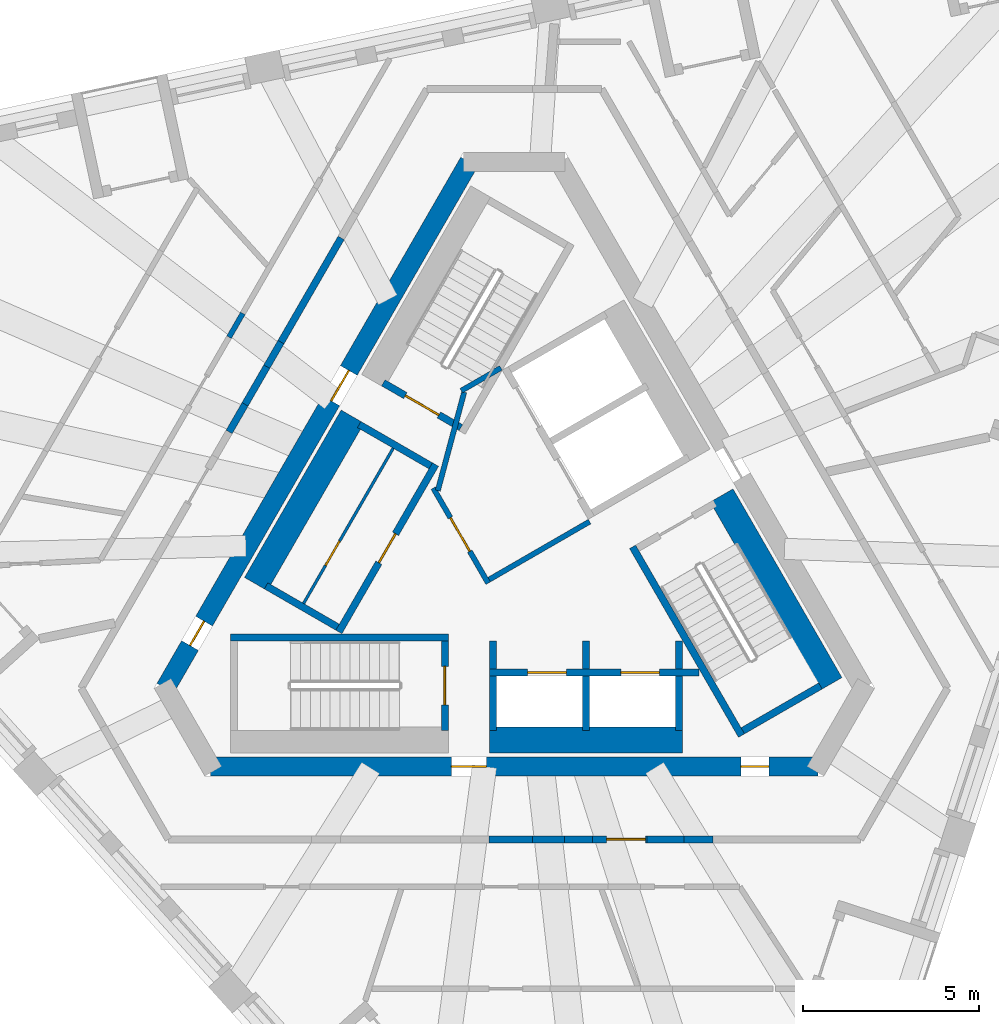
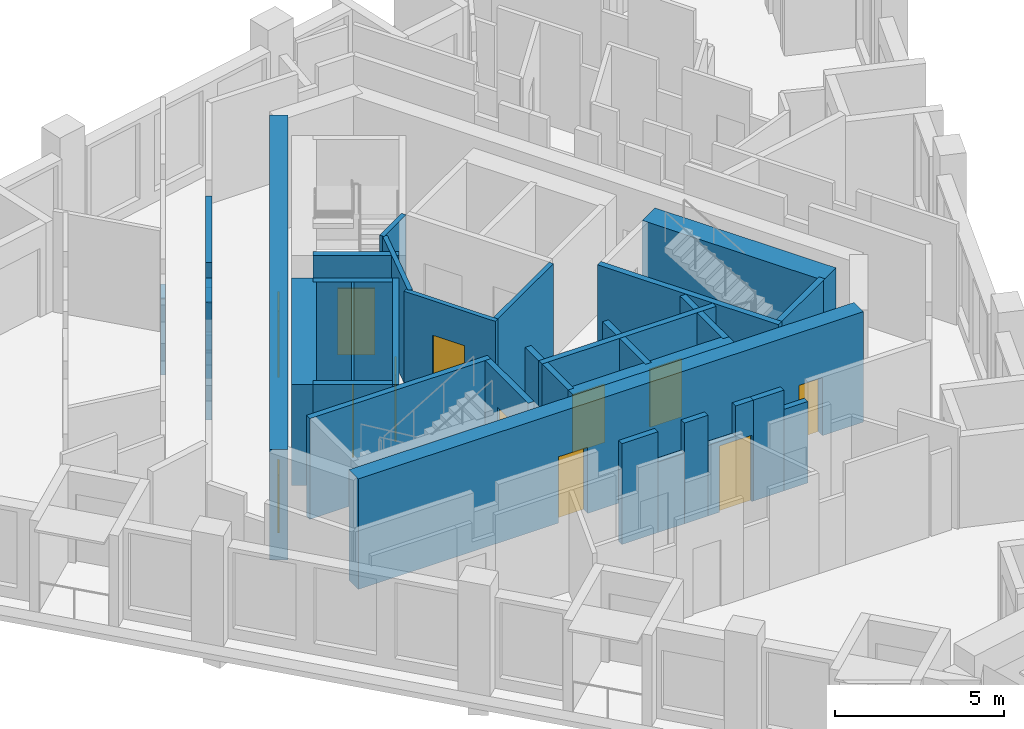
# One storey, part 4 of 12: 36 walls, 12 doors, 12 openings.
"""IFC4 building model written with IfcOpenShell, lengths in metres."""

from ifc_helpers import new_model, si_unit, direction, frame, frame_2d, origin, place, context, subcontext, project, spatial, polyline, rectangle, outline, extrude, material, layer, layer_set, type_object, element, fill, save


model = new_model("IFC4")

# Units and contexts
model_context = context("Model", 3, precision=1e-05, world=origin(), true_north=direction((0.0, 1.0)))
body_context = subcontext(model_context, "Body", "Model", "MODEL_VIEW")
ifc_project = project(units=[si_unit("LENGTHUNIT", "METRE"), si_unit("AREAUNIT", "SQUARE_METRE"), si_unit("VOLUMEUNIT", "CUBIC_METRE"), si_unit("PLANEANGLEUNIT", "RADIAN"), si_unit("MASSUNIT", "GRAM", prefix="KILO")], contexts=[model_context])

# Site, building, storey
site_placement = place(None, origin())
site = spatial("IfcSite", under=ifc_project, at=site_placement, CompositionType="ELEMENT")
building_placement = place(site_placement, origin())
building = spatial("IfcBuilding", under=site, at=building_placement, Name="Tramontana Tower", CompositionType="ELEMENT")
storey_placement = place(building_placement, frame((0.0, 0.0, 344.39990234375)))
storey = spatial("IfcBuildingStorey", under=building, at=storey_placement, Name="L79", CompositionType="ELEMENT", Elevation=344.39990234375)

# Wall, openings, doors
ifc_material_1 = material(Name="Concrete 70 MPa", Category="concrete")
ifc_layer_1 = layer(ifc_material_1, 0.550048828125)
ifc_layer_set_1 = layer_set([ifc_layer_1], Name="Core wall 550 70 MPa")
wall_type_1 = type_object("IfcWallType", Name="Core wall 550 70 MPa", PredefinedType="SHEAR", material=ifc_layer_set_1)
wall_1_placement = place(storey_placement, frame((-1.28466796875, 10.72509765625, 0.0), z_axis=(0.0, 0.0, 1.0), x_axis=(-0.499994590896, -0.86602852671, 0.0)))
wall_1 = element("IfcWall", 1, at=wall_1_placement, inside=storey, type_object=wall_type_1, Name="Core wall C1 L79", PredefinedType="SHEAR", context=body_context, shape_type="SweptSolid", body=[
    extrude(rectangle(XDim=17.291748046875, YDim=0.550048828125, at=frame_2d((8.64599609375, 0.0))), origin(), (0.0, 0.0, 1.0), 4.0),
])
opening_1_placement = place(wall_1_placement, frame((6.850830078125, 0.0, 0.0)))
opening_1 = element("IfcOpeningElement", 2, at=opening_1_placement, cuts=wall_1, Name="Opening RG1", PredefinedType="OPENING", context=body_context, shape_type="SweptSolid", body=[
    extrude(rectangle(XDim=1.0, YDim=2.39990234375, at=frame_2d((0.5, 1.199951171875))), frame((0.0, 0.284912109375, 0.0), z_axis=(0.0, -1.0, 0.0), x_axis=(1.0, 0.0, 0.0)), (0.0, 0.0, 1.0), 0.570068359375),
])
opening_2_placement = place(wall_1_placement, frame((15.0888671875, 0.0, 0.0)))
opening_2 = element("IfcOpeningElement", 3, at=opening_2_placement, cuts=wall_1, Name="Opening PD1", PredefinedType="OPENING", context=body_context, shape_type="SweptSolid", body=[
    extrude(rectangle(XDim=0.800048828125, YDim=2.10009765625, at=frame_2d((0.39990234375, 1.050048828125))), frame((0.0, 0.284912109375, 0.0), z_axis=(0.0, -1.0, 0.0), x_axis=(1.0, 0.0, 0.0)), (0.0, 0.0, 1.0), 0.570068359375),
])
ifc_material_2 = material(Name="Painted steel", Category="steel")
door_type_1 = type_object("IfcDoorType", Name="CUPBOARD DOOR 800", OperationType="SINGLE_SWING_LEFT", PredefinedType="DOOR", material=ifc_material_2)
door_1_placement = place(opening_2_placement, origin())
door_1 = element("IfcDoor", 4, at=door_1_placement, inside=storey, type_object=door_type_1, Name="Door PD1", OperationType="SINGLE_SWING_LEFT", OverallHeight=2.10009765625, OverallWidth=0.800048828125, PredefinedType="DOOR", context=body_context, shape_type="SweptSolid", body=[
    extrude(rectangle(XDim=0.800048828125, YDim=2.10009765625, at=frame_2d((0.39990234375, 1.050048828125))), frame((0.0, 0.02490234375, 0.0), z_axis=(0.0, -1.0, 0.0), x_axis=(1.0, 0.0, 0.0)), (0.0, 0.0, 1.0), 0.050048828125),
])
fill(opening_2, door_1)
ifc_material_3 = material(Name="Painted steel", Category="steel")
door_type_2 = type_object("IfcDoorType", Name="RING DOOR 1000", OperationType="SINGLE_SWING_LEFT", PredefinedType="DOOR", material=ifc_material_3)
door_2_placement = place(opening_1_placement, origin())
door_2 = element("IfcDoor", 5, at=door_2_placement, inside=storey, type_object=door_type_2, Name="Door RG1", OperationType="SINGLE_SWING_RIGHT", OverallHeight=2.39990234375, OverallWidth=1.0, PredefinedType="DOOR", context=body_context, shape_type="SweptSolid", body=[
    extrude(rectangle(XDim=1.0, YDim=2.39990234375, at=frame_2d((0.5, 1.199951171875))), frame((0.0, 0.02490234375, 0.0), z_axis=(0.0, -1.0, 0.0), x_axis=(1.0, 0.0, 0.0)), (0.0, 0.0, 1.0), 0.050048828125),
])
fill(opening_1, door_2)

wall_2_placement = place(storey_placement, frame((-8.645751953125, -6.47509765625, 0.0), z_axis=(0.0, 0.0, 1.0), x_axis=(1.0, 0.0, 0.0)))
wall_2 = element("IfcWall", 6, at=wall_2_placement, inside=storey, type_object=wall_type_1, Name="Core wall C3 L79", PredefinedType="SHEAR", context=body_context, shape_type="SweptSolid", body=[
    extrude(rectangle(XDim=17.29150390625, YDim=0.550048828125, at=frame_2d((8.645751953125, 0.0))), origin(), (0.0, 0.0, 1.0), 4.0),
])
opening_3_placement = place(wall_2_placement, frame((6.850830078125, 0.0, 0.0)))
opening_3 = element("IfcOpeningElement", 7, at=opening_3_placement, cuts=wall_2, Name="Opening RG2", PredefinedType="OPENING", context=body_context, shape_type="SweptSolid", body=[
    extrude(rectangle(XDim=1.0, YDim=2.39990234375, at=frame_2d((0.5, 1.199951171875))), frame((0.0, 0.284912109375, 0.0), z_axis=(0.0, -1.0, 0.0), x_axis=(1.0, 0.0, 0.0)), (0.0, 0.0, 1.0), 0.570068359375),
])
opening_4_placement = place(wall_2_placement, frame((15.088623046875, 0.0, 0.0)))
opening_4 = element("IfcOpeningElement", 8, at=opening_4_placement, cuts=wall_2, Name="Opening PD2", PredefinedType="OPENING", context=body_context, shape_type="SweptSolid", body=[
    extrude(rectangle(XDim=0.800048828125, YDim=2.10009765625, at=frame_2d((0.39990234375, 1.050048828125))), frame((0.0, 0.284912109375, 0.0), z_axis=(0.0, -1.0, 0.0), x_axis=(1.0, 0.0, 0.0)), (0.0, 0.0, 1.0), 0.570068359375),
])
door_3_placement = place(opening_4_placement, origin())
door_3 = element("IfcDoor", 9, at=door_3_placement, inside=storey, type_object=door_type_1, Name="Door PD2", OperationType="SINGLE_SWING_RIGHT", OverallHeight=2.10009765625, OverallWidth=0.800048828125, PredefinedType="DOOR", context=body_context, shape_type="SweptSolid", body=[
    extrude(rectangle(XDim=0.800048828125, YDim=2.10009765625, at=frame_2d((0.39990234375, 1.050048828125))), frame((0.0, 0.02490234375, 0.0), z_axis=(0.0, -1.0, 0.0), x_axis=(1.0, 0.0, 0.0)), (0.0, 0.0, 1.0), 0.050048828125),
])
fill(opening_4, door_3)
door_4_placement = place(opening_3_placement, origin())
door_4 = element("IfcDoor", 10, at=door_4_placement, inside=storey, type_object=door_type_2, Name="Door RG2", OperationType="SINGLE_SWING_LEFT", OverallHeight=2.39990234375, OverallWidth=1.0, PredefinedType="DOOR", context=body_context, shape_type="SweptSolid", body=[
    extrude(rectangle(XDim=1.0, YDim=2.39990234375, at=frame_2d((0.5, 1.199951171875))), frame((0.0, 0.02490234375, 0.0), z_axis=(0.0, -1.0, 0.0), x_axis=(1.0, 0.0, 0.0)), (0.0, 0.0, 1.0), 0.050048828125),
])
fill(opening_3, door_4)

# Walls
ifc_material_4 = material(Name="Blockwork", Category="masonry")
ifc_layer_2 = layer(ifc_material_4, 0.199951171875)
ifc_layer_set_2 = layer_set([ifc_layer_2], Name="ENTRY WALL 200")
wall_type_2 = type_object("IfcWallType", Name="ENTRY WALL 200", PredefinedType="SOLIDWALL", material=ifc_layer_set_2)
wall_3_placement = place(storey_placement, frame((5.6494140625, -8.550048828125, 0.0), z_axis=(0.0, 0.0, 1.0), x_axis=(-1.0, 0.0, 0.0)))
element("IfcWall", 11, at=wall_3_placement, inside=storey, type_object=wall_type_2, Name="Wall v82-ew1-1", PredefinedType="SOLIDWALL", context=body_context, shape_type="SweptSolid", body=[
    extrude(rectangle(XDim=0.821044921875, YDim=0.199951171875, at=frame_2d((0.41064453125, 0.0))), origin(), (0.0, 0.0, 1.0), 2.9501953125),
])
wall_4_placement = place(storey_placement, frame((4.828369140625, -8.550048828125, 0.0), z_axis=(0.0, 0.0, 1.0), x_axis=(-1.0, 0.0, 0.0)))
element("IfcWall", 12, at=wall_4_placement, inside=storey, type_object=wall_type_2, Name="Wall v82-ew1-2", PredefinedType="SOLIDWALL", context=body_context, shape_type="SweptSolid", body=[
    extrude(rectangle(XDim=1.050048828125, YDim=0.199951171875, at=frame_2d((0.52490234375, 0.0))), origin(), (0.0, 0.0, 1.0), 3.650146484375),
])

# Wall, opening, door
wall_5_placement = place(storey_placement, frame((2.22900390625, -8.550048828125, 0.0), z_axis=(0.0, 0.0, 1.0), x_axis=(1.0, 0.0, 0.0)))
wall_5 = element("IfcWall", 13, at=wall_5_placement, inside=storey, type_object=wall_type_2, Name="Wall v82-ew1-3", PredefinedType="SOLIDWALL", context=body_context, shape_type="SweptSolid", body=[
    extrude(outline(polyline([(0.0, 0.0), (1.54931640625, 0.0), (1.549072265625, 3.650146484375), (0.94384765625, 3.650146484375), (0.94384765625, 2.550048828125), (0.0, 2.550048828125), (0.0, 0.0)])), frame((0.0, 0.10009765625, 0.0), z_axis=(0.0, -1.0, 0.0), x_axis=(1.0, 0.0, 0.0)), (0.0, 0.0, 1.0), 0.199951171875),
])
opening_5_placement = place(wall_5_placement, frame((0.399169921875, 0.0, 0.0)))
opening_5 = element("IfcOpeningElement", 14, at=opening_5_placement, cuts=wall_5, Name="Opening B8C-16", PredefinedType="OPENING", context=body_context, shape_type="SweptSolid", body=[
    extrude(rectangle(XDim=1.10009765625, YDim=2.39990234375, at=frame_2d((0.550048828125, 1.199951171875))), frame((0.0, 0.10986328125, 0.0), z_axis=(0.0, -1.0, 0.0), x_axis=(1.0, 0.0, 0.0)), (0.0, 0.0, 1.0), 0.219970703125),
])
ifc_material_5 = material(Name="Painted timber", Category="wood")
door_type_3 = type_object("IfcDoorType", Name="DOOR ENTRY 1100", OperationType="SINGLE_SWING_LEFT", PredefinedType="DOOR", material=ifc_material_5)
door_5_placement = place(opening_5_placement, origin())
door_5 = element("IfcDoor", 15, at=door_5_placement, inside=storey, type_object=door_type_3, Name="Door B8C-16", OperationType="SINGLE_SWING_RIGHT", OverallHeight=2.39990234375, OverallWidth=1.10009765625, PredefinedType="DOOR", context=body_context, shape_type="SweptSolid", body=[
    extrude(rectangle(XDim=1.10009765625, YDim=2.39990234375, at=frame_2d((0.550048828125, 1.199951171875))), frame((0.0, 0.02490234375, 0.0), z_axis=(0.0, -1.0, 0.0), x_axis=(1.0, 0.0, 0.0)), (0.0, 0.0, 1.0), 0.050048828125),
])
fill(opening_5, door_5)

# Walls
wall_6_placement = place(storey_placement, frame((2.22900390625, -8.550048828125, 0.0), z_axis=(0.0, 0.0, 1.0), x_axis=(-1.0, 0.0, 0.0)))
element("IfcWall", 16, at=wall_6_placement, inside=storey, type_object=wall_type_2, Name="Wall v82-ew1-4", PredefinedType="SOLIDWALL", context=body_context, shape_type="SweptSolid", body=[
    extrude(rectangle(XDim=0.806640625, YDim=0.199951171875, at=frame_2d((0.4033203125, 0.0))), origin(), (0.0, 0.0, 1.0), 3.650146484375),
])
wall_7_placement = place(storey_placement, frame((1.42236328125, -8.550048828125, 0.0), z_axis=(0.0, 0.0, 1.0), x_axis=(-1.0, 0.0, 0.0)))
element("IfcWall", 17, at=wall_7_placement, inside=storey, type_object=wall_type_2, Name="Wall v82-ew1-5", PredefinedType="SOLIDWALL", context=body_context, shape_type="SweptSolid", body=[
    extrude(rectangle(XDim=0.90576171875, YDim=0.199951171875, at=frame_2d((0.452880859375, 0.0))), origin(), (0.0, 0.0, 1.0), 2.550048828125),
])
wall_8_placement = place(storey_placement, frame((0.5166015625, -8.550048828125, 0.0), z_axis=(0.0, 0.0, 1.0), x_axis=(-1.0, 0.0, 0.0)))
element("IfcWall", 18, at=wall_8_placement, inside=storey, type_object=wall_type_2, Name="Wall v82-ew1-6", PredefinedType="SOLIDWALL", context=body_context, shape_type="SweptSolid", body=[
    extrude(rectangle(XDim=1.23828125, YDim=0.199951171875, at=frame_2d((0.619140625, 0.0))), origin(), (0.0, 0.0, 1.0), 3.650146484375),
])
wall_9_placement = place(storey_placement, frame((-8.11572265625, 3.043212890625, 0.0), z_axis=(0.0, 0.0, 1.0), x_axis=(0.499994660107, 0.866028486751, 0.0)))
element("IfcWall", 19, at=wall_9_placement, inside=storey, type_object=wall_type_2, Name="Wall v82-ew3-5", PredefinedType="SOLIDWALL", context=body_context, shape_type="SweptSolid", body=[
    extrude(rectangle(XDim=0.90576171875, YDim=0.199951171875, at=frame_2d((0.452880859375, 0.0))), origin(), (0.0, 0.0, 1.0), 2.550048828125),
])
wall_10_placement = place(storey_placement, frame((-7.662841796875, 3.82763671875, 0.0), z_axis=(0.0, 0.0, 1.0), x_axis=(0.499955681623, 0.866050989499, 0.0)))
element("IfcWall", 20, at=wall_10_placement, inside=storey, type_object=wall_type_2, Name="Wall v82-ew3-6", PredefinedType="SOLIDWALL", context=body_context, shape_type="SweptSolid", body=[
    extrude(rectangle(XDim=1.23828125, YDim=0.199951171875, at=frame_2d((0.619140625, 0.0))), origin(), (0.0, 0.0, 1.0), 3.650146484375),
])
wall_11_placement = place(storey_placement, frame((-7.043701171875, 4.900146484375, 0.0), z_axis=(0.0, 0.0, 1.0), x_axis=(0.500141487433, 0.865943700565, 0.0)))
element("IfcWall", 21, at=wall_11_placement, inside=storey, type_object=wall_type_2, Name="Wall v82-ew3-7", PredefinedType="SOLIDWALL", context=body_context, shape_type="SweptSolid", body=[
    extrude(rectangle(XDim=0.806884765625, YDim=0.199951171875, at=frame_2d((0.4033203125, 0.0))), origin(), (0.0, 0.0, 1.0), 2.75),
])
wall_12_placement = place(storey_placement, frame((-6.64013671875, 5.598876953125, 0.0), z_axis=(0.0, 0.0, 1.0), x_axis=(0.499989998285, 0.8660311782, 0.0)))
element("IfcWall", 22, at=wall_12_placement, inside=storey, type_object=wall_type_2, Name="Wall v82-ew3-8", PredefinedType="SOLIDWALL", context=body_context, shape_type="SweptSolid", body=[
    extrude(rectangle(XDim=3.4228515625, YDim=0.199951171875, at=frame_2d((1.71142578125, 0.0))), origin(), (0.0, 0.0, 1.0), 3.650146484375),
])

# Wall, opening, door
ifc_material_6 = material(Name="Gypsum board partition")
ifc_layer_3 = layer(ifc_material_6, 0.14990234375)
ifc_layer_set_3 = layer_set([ifc_layer_3], Name="PARTITION 150")
wall_type_3 = type_object("IfcWallType", Name="PARTITION 150", PredefinedType="PARTITIONING", material=ifc_layer_set_3)
wall_13_placement = place(storey_placement, frame((-0.744140625, -1.260986328125, 0.0), z_axis=(0.0, 0.0, 1.0), x_axis=(-0.500004234368, 0.866022959057, 0.0)))
wall_13 = element("IfcWall", 23, at=wall_13_placement, inside=storey, type_object=wall_type_3, Name="Wall ff-front", PredefinedType="PARTITIONING", context=body_context, shape_type="SweptSolid", body=[
    extrude(rectangle(XDim=3.125, YDim=0.14990234375, at=frame_2d((1.5625, 0.0))), origin(), (0.0, 0.0, 1.0), 3.650146484375),
])
opening_6_placement = place(wall_13_placement, frame((1.050048828125, 0.0, 0.0)))
opening_6 = element("IfcOpeningElement", 24, at=opening_6_placement, cuts=wall_13, Name="Opening FD1", PredefinedType="OPENING", context=body_context, shape_type="SweptSolid", body=[
    extrude(rectangle(XDim=1.10009765625, YDim=2.39990234375, at=frame_2d((0.550048828125, 1.199951171875))), frame((0.0, 0.0849609375, 0.0), z_axis=(0.0, -1.0, 0.0), x_axis=(1.0, 0.0, 0.0)), (0.0, 0.0, 1.0), 0.169921875),
])
door_6_placement = place(opening_6_placement, origin())
door_6 = element("IfcDoor", 25, at=door_6_placement, inside=storey, type_object=door_type_3, Name="Door FD1", OperationType="SINGLE_SWING_LEFT", OverallHeight=2.39990234375, OverallWidth=1.10009765625, PredefinedType="DOOR", context=body_context, shape_type="SweptSolid", body=[
    extrude(rectangle(XDim=1.10009765625, YDim=2.39990234375, at=frame_2d((0.550048828125, 1.199951171875))), frame((0.0, 0.02490234375, 0.0), z_axis=(0.0, -1.0, 0.0), x_axis=(1.0, 0.0, 0.0)), (0.0, 0.0, 1.0), 0.050048828125),
])
fill(opening_6, door_6)

# Walls
wall_14_placement = place(storey_placement, frame((-0.716796875, -1.15869140625, 0.0), z_axis=(0.0, 0.0, 1.0), x_axis=(0.866008176907, 0.50002983664, 0.0)))
element("IfcWall", 26, at=wall_14_placement, inside=storey, type_object=wall_type_3, Name="Wall ff-end0", PredefinedType="PARTITIONING", context=body_context, shape_type="SweptSolid", body=[
    extrude(rectangle(XDim=3.300048828125, YDim=0.14990234375, at=frame_2d((1.64990234375, 0.0))), origin(), (0.0, 0.0, 1.0), 3.650146484375),
])
wall_15_placement = place(storey_placement, frame((-2.177978515625, 1.372314453125, 0.0), z_axis=(0.0, 0.0, 1.0), x_axis=(0.258808958833, 0.96592852884, 0.0)))
element("IfcWall", 27, at=wall_15_placement, inside=storey, type_object=wall_type_3, Name="Wall ff-diag", PredefinedType="PARTITIONING", context=body_context, shape_type="SweptSolid", body=[
    extrude(rectangle(XDim=2.902587890625, YDim=0.14990234375, at=frame_2d((1.451171875, 0.0))), origin(), (0.0, 0.0, 1.0), 3.650146484375),
])
wall_16_placement = place(storey_placement, frame((-1.509765625, 4.21484375, 0.0), z_axis=(0.0, 0.0, 1.0), x_axis=(0.866085525409, 0.49989585183, 0.0)))
element("IfcWall", 28, at=wall_16_placement, inside=storey, type_object=wall_type_3, Name="Wall ff-end1", PredefinedType="PARTITIONING", context=body_context, shape_type="SweptSolid", body=[
    extrude(rectangle(XDim=1.300048828125, YDim=0.14990234375, at=frame_2d((0.64990234375, 0.0))), origin(), (0.0, 0.0, 1.0), 3.650146484375),
])
wall_17_placement = place(storey_placement, frame((-8.11767578125, 5.73974609375, 0.0), z_axis=(0.0, 0.0, 1.0), x_axis=(0.500001804394, 0.866024362014, 0.0)))
element("IfcWall", 29, at=wall_17_placement, inside=storey, type_object=wall_type_3, Name="Wall v82-pw03-6", PredefinedType="PARTITIONING", context=body_context, shape_type="SweptSolid", body=[
    extrude(rectangle(XDim=0.78173828125, YDim=0.14990234375, at=frame_2d((0.390869140625, 0.0))), origin(), (0.0, 0.0, 1.0), 2.75),
])

# Wall, opening, door
ifc_material_7 = material(Name="Gypsum board partition")
ifc_layer_4 = layer(ifc_material_7, 0.080078125)
ifc_layer_set_4 = layer_set([ifc_layer_4], Name="PARTITION 80")
wall_type_4 = type_object("IfcWallType", Name="PARTITION 80", PredefinedType="PARTITIONING", material=ifc_layer_set_4)
wall_18_placement = place(storey_placement, frame((-5.997314453125, -1.837646484375, 0.0), z_axis=(0.0, 0.0, 1.0), x_axis=(0.500005610874, 0.86602216432, 0.0)))
wall_18 = element("IfcWall", 30, at=wall_18_placement, inside=storey, type_object=wall_type_4, Name="Wall row0-split", PredefinedType="PARTITIONING", context=body_context, shape_type="SweptSolid", body=[
    extrude(rectangle(XDim=5.10009765625, YDim=0.080078125, at=frame_2d((2.550048828125, 0.0))), origin(), (0.0, 0.0, 1.0), 3.650146484375),
])
opening_7_placement = place(wall_18_placement, frame((1.25, 0.0, 0.0)))
opening_7 = element("IfcOpeningElement", 31, at=opening_7_placement, cuts=wall_18, Name="Opening RD-0B", PredefinedType="OPENING", context=body_context, shape_type="SweptSolid", body=[
    extrude(rectangle(XDim=0.800048828125, YDim=2.10009765625, at=frame_2d((0.39990234375, 1.050048828125))), frame((0.0, 0.050048828125, 0.0), z_axis=(0.0, -1.0, 0.0), x_axis=(1.0, 0.0, 0.0)), (0.0, 0.0, 1.0), 0.10009765625),
])
door_7_placement = place(opening_7_placement, origin())
door_7 = element("IfcDoor", 32, at=door_7_placement, inside=storey, type_object=door_type_1, Name="Door RD-0B", OperationType="SINGLE_SWING_RIGHT", OverallHeight=2.10009765625, OverallWidth=0.800048828125, PredefinedType="DOOR", context=body_context, shape_type="SweptSolid", body=[
    extrude(rectangle(XDim=0.800048828125, YDim=2.10009765625, at=frame_2d((0.39990234375, 1.050048828125))), frame((0.0, 0.02490234375, 0.0), z_axis=(0.0, -1.0, 0.0), x_axis=(1.0, 0.0, 0.0)), (0.0, 0.0, 1.0), 0.050048828125),
])
fill(opening_7, door_7)

# Walls
ifc_material_8 = material(Name="Concrete 70 MPa", Category="concrete")
ifc_layer_5 = layer(ifc_material_8, 0.75)
ifc_layer_set_5 = layer_set([ifc_layer_5], Name="Concrete 70 MPa, 750 mm")
wall_type_5 = type_object("IfcWallType", Name="RC SHAFT BACK WALL 750", PredefinedType="SOLIDWALL", material=ifc_layer_set_5)
wall_19_placement = place(storey_placement, frame((8.998046875, -4.135009765625, 0.0), z_axis=(0.0, 0.0, 1.0), x_axis=(-0.500009909098, 0.866019682689, 0.0)))
element("IfcWall", 33, at=wall_19_placement, inside=storey, type_object=wall_type_5, Name="Wall st3-back", PredefinedType="SOLIDWALL", context=body_context, shape_type="SweptSolid", body=[
    extrude(rectangle(XDim=6.199951171875, YDim=0.75, at=frame_2d((3.10009765625, 0.0))), origin(), (0.0, 0.0, 1.0), 3.650146484375),
])
wall_20_placement = place(storey_placement, frame((-4.60302734375, 3.477294921875, 0.0), z_axis=(0.0, 0.0, 1.0), x_axis=(-0.500015767406, -0.866016300277, 0.0)))
element("IfcWall", 34, at=wall_20_placement, inside=storey, type_object=wall_type_5, Name="Wall row0-back", PredefinedType="SOLIDWALL", context=body_context, shape_type="SweptSolid", body=[
    extrude(rectangle(XDim=5.499755859375, YDim=0.75, at=frame_2d((2.75, 0.0))), origin(), (0.0, 0.0, 1.0), 3.650146484375),
])
wall_21_placement = place(storey_placement, frame((-0.7099609375, -5.72509765625, 0.0), z_axis=(0.0, 0.0, 1.0), x_axis=(1.0, 0.0, 0.0)))
element("IfcWall", 35, at=wall_21_placement, inside=storey, type_object=wall_type_5, Name="Wall row1-back", PredefinedType="SOLIDWALL", context=body_context, shape_type="SweptSolid", body=[
    extrude(rectangle(XDim=5.5, YDim=0.75, at=frame_2d((2.75, 0.0))), origin(), (0.0, 0.0, 1.0), 3.650146484375),
])

# Wall, opening, door
ifc_material_9 = material(Name="Concrete 70 MPa", Category="concrete")
ifc_layer_6 = layer(ifc_material_9, 0.199951171875)
ifc_layer_set_6 = layer_set([ifc_layer_6], Name="Concrete 70 MPa, 200 mm")
wall_type_6 = type_object("IfcWallType", Name="RC STAIR AND SHAFT WALL 200", PredefinedType="SOLIDWALL", material=ifc_layer_set_6)
wall_22_placement = place(storey_placement, frame((-1.521484375, 3.164794921875, 0.0), z_axis=(0.0, 0.0, 1.0), x_axis=(-0.866030925526, 0.499990435942, 0.0)))
wall_22 = element("IfcWall", 36, at=wall_22_placement, inside=storey, type_object=wall_type_6, Name="Wall st1-near", PredefinedType="SOLIDWALL", context=body_context, shape_type="SweptSolid", body=[
    extrude(rectangle(XDim=2.5498046875, YDim=0.199951171875, at=frame_2d((1.27490234375, 0.0))), origin(), (0.0, 0.0, 1.0), 3.650146484375),
])
opening_8_placement = place(wall_22_placement, frame((0.72509765625, 0.0, 0.0)))
opening_8 = element("IfcOpeningElement", 37, at=opening_8_placement, cuts=wall_22, Name="Opening SD1", PredefinedType="OPENING", context=body_context, shape_type="SweptSolid", body=[
    extrude(rectangle(XDim=1.10009765625, YDim=2.39990234375, at=frame_2d((0.550048828125, 1.199951171875))), frame((0.0, 0.10986328125, 0.0), z_axis=(0.0, -1.0, 0.0), x_axis=(1.0, 0.0, 0.0)), (0.0, 0.0, 1.0), 0.219970703125),
])
ifc_material_10 = material(Name="Painted steel", Category="steel")
door_type_4 = type_object("IfcDoorType", Name="STAIR DOOR 1100", OperationType="SINGLE_SWING_LEFT", PredefinedType="DOOR", material=ifc_material_10)
door_8_placement = place(opening_8_placement, origin())
door_8 = element("IfcDoor", 38, at=door_8_placement, inside=storey, type_object=door_type_4, Name="Door SD1", OperationType="SINGLE_SWING_RIGHT", OverallHeight=2.39990234375, OverallWidth=1.10009765625, PredefinedType="DOOR", context=body_context, shape_type="SweptSolid", body=[
    extrude(rectangle(XDim=1.10009765625, YDim=2.39990234375, at=frame_2d((0.550048828125, 1.199951171875))), frame((0.0, 0.02490234375, 0.0), z_axis=(0.0, -1.0, 0.0), x_axis=(1.0, 0.0, 0.0)), (0.0, 0.0, 1.0), 0.050048828125),
])
fill(opening_8, door_8)

# Wall
wall_23_placement = place(storey_placement, frame((-8.080078125, -2.800048828125, 0.0), z_axis=(0.0, 0.0, 1.0), x_axis=(1.0, 0.0, 0.0)))
element("IfcWall", 39, at=wall_23_placement, inside=storey, type_object=wall_type_6, Name="Wall st2-front", PredefinedType="SOLIDWALL", context=body_context, shape_type="SweptSolid", body=[
    extrude(rectangle(XDim=6.2001953125, YDim=0.199951171875, at=frame_2d((3.10009765625, 0.0))), origin(), (0.0, 0.0, 1.0), 3.650146484375),
])

# Wall, opening, door
wall_24_placement = place(storey_placement, frame((-1.97998046875, -2.89990234375, 0.0), z_axis=(0.0, 0.0, 1.0), x_axis=(0.0, -1.0, 0.0)))
wall_24 = element("IfcWall", 40, at=wall_24_placement, inside=storey, type_object=wall_type_6, Name="Wall st2-near", PredefinedType="SOLIDWALL", context=body_context, shape_type="SweptSolid", body=[
    extrude(rectangle(XDim=2.550048828125, YDim=0.199951171875, at=frame_2d((1.27490234375, 0.0))), origin(), (0.0, 0.0, 1.0), 3.650146484375),
])
opening_9_placement = place(wall_24_placement, frame((0.72509765625, 0.0, 0.0)))
opening_9 = element("IfcOpeningElement", 41, at=opening_9_placement, cuts=wall_24, Name="Opening SD2", PredefinedType="OPENING", context=body_context, shape_type="SweptSolid", body=[
    extrude(rectangle(XDim=1.10009765625, YDim=2.39990234375, at=frame_2d((0.550048828125, 1.199951171875))), frame((0.0, 0.10986328125, 0.0), z_axis=(0.0, -1.0, 0.0), x_axis=(1.0, 0.0, 0.0)), (0.0, 0.0, 1.0), 0.219970703125),
])
door_9_placement = place(opening_9_placement, origin())
door_9 = element("IfcDoor", 42, at=door_9_placement, inside=storey, type_object=door_type_4, Name="Door SD2", OperationType="SINGLE_SWING_LEFT", OverallHeight=2.39990234375, OverallWidth=1.10009765625, PredefinedType="DOOR", context=body_context, shape_type="SweptSolid", body=[
    extrude(rectangle(XDim=1.10009765625, YDim=2.39990234375, at=frame_2d((0.550048828125, 1.199951171875))), frame((0.0, 0.02490234375, 0.0), z_axis=(0.0, -1.0, 0.0), x_axis=(1.0, 0.0, 0.0)), (0.0, 0.0, 1.0), 0.050048828125),
])
fill(opening_9, door_9)

# Walls
wall_25_placement = place(storey_placement, frame((6.46484375, -5.597412109375, 0.0), z_axis=(0.0, 0.0, 1.0), x_axis=(-0.49998037582, 0.866036733513, 0.0)))
element("IfcWall", 43, at=wall_25_placement, inside=storey, type_object=wall_type_6, Name="Wall st3-front", PredefinedType="SOLIDWALL", context=body_context, shape_type="SweptSolid", body=[
    extrude(rectangle(XDim=6.199951171875, YDim=0.199951171875, at=frame_2d((3.10009765625, 0.0))), origin(), (0.0, 0.0, 1.0), 3.650146484375),
])
wall_26_placement = place(storey_placement, frame((6.50146484375, -5.4609375, 0.0), z_axis=(0.0, 0.0, 1.0), x_axis=(0.865989465428, 0.500062241894, 0.0)))
element("IfcWall", 44, at=wall_26_placement, inside=storey, type_object=wall_type_6, Name="Wall st3-far", PredefinedType="SOLIDWALL", context=body_context, shape_type="SweptSolid", body=[
    extrude(rectangle(XDim=2.550048828125, YDim=0.199951171875, at=frame_2d((1.27490234375, 0.0))), origin(), (0.0, 0.0, 1.0), 3.650146484375),
])

# Wall, opening, door
wall_27_placement = place(storey_placement, frame((-4.9931640625, -2.648193359375, 0.0), z_axis=(0.0, 0.0, 1.0), x_axis=(0.499996545922, 0.866027397988, 0.0)))
wall_27 = element("IfcWall", 45, at=wall_27_placement, inside=storey, type_object=wall_type_6, Name="Wall row0-front", PredefinedType="SOLIDWALL", context=body_context, shape_type="SweptSolid", body=[
    extrude(rectangle(XDim=5.5, YDim=0.199951171875, at=frame_2d((2.75, 0.0))), origin(), (0.0, 0.0, 1.0), 3.650146484375),
])
opening_10_placement = place(wall_27_placement, frame((2.27490234375, 0.0, 0.0)))
opening_10 = element("IfcOpeningElement", 46, at=opening_10_placement, cuts=wall_27, Name="Opening RD-0A", PredefinedType="OPENING", context=body_context, shape_type="SweptSolid", body=[
    extrude(rectangle(XDim=0.949951171875, YDim=2.39990234375, at=frame_2d((0.47509765625, 1.199951171875))), frame((0.0, 0.10986328125, 0.0), z_axis=(0.0, -1.0, 0.0), x_axis=(1.0, 0.0, 0.0)), (0.0, 0.0, 1.0), 0.219970703125),
])
ifc_material_11 = material(Name="Painted timber", Category="wood")
door_type_5 = type_object("IfcDoorType", Name="DOOR ROOM 950", OperationType="SINGLE_SWING_LEFT", PredefinedType="DOOR", material=ifc_material_11)
door_10_placement = place(opening_10_placement, origin())
door_10 = element("IfcDoor", 47, at=door_10_placement, inside=storey, type_object=door_type_5, Name="Door RD-0A", OperationType="SINGLE_SWING_LEFT", OverallHeight=2.39990234375, OverallWidth=0.949951171875, PredefinedType="DOOR", context=body_context, shape_type="SweptSolid", body=[
    extrude(rectangle(XDim=0.949951171875, YDim=2.39990234375, at=frame_2d((0.47509765625, 1.199951171875))), frame((0.0, 0.02490234375, 0.0), z_axis=(0.0, -1.0, 0.0), x_axis=(1.0, 0.0, 0.0)), (0.0, 0.0, 1.0), 0.050048828125),
])
fill(opening_10, door_10)

# Walls
wall_28_placement = place(storey_placement, frame((-2.379638671875, 2.078369140625, 0.0), z_axis=(0.0, 0.0, 1.0), x_axis=(-0.866061024631, 0.499938297808, 0.0)))
element("IfcWall", 48, at=wall_28_placement, inside=storey, type_object=wall_type_6, Name="Wall row0-side0", PredefinedType="SOLIDWALL", context=body_context, shape_type="SweptSolid", body=[
    extrude(rectangle(XDim=2.349853515625, YDim=0.199951171875, at=frame_2d((1.1748046875, 0.0))), origin(), (0.0, 0.0, 1.0), 3.650146484375),
])
wall_29_placement = place(storey_placement, frame((-5.02978515625, -2.51171875, 0.0), z_axis=(0.0, 0.0, 1.0), x_axis=(-0.866016039709, 0.500016218704, 0.0)))
element("IfcWall", 49, at=wall_29_placement, inside=storey, type_object=wall_type_6, Name="Wall row0-side2", PredefinedType="SOLIDWALL", context=body_context, shape_type="SweptSolid", body=[
    extrude(rectangle(XDim=2.35009765625, YDim=0.199951171875, at=frame_2d((1.175048828125, 0.0))), origin(), (0.0, 0.0, 1.0), 3.650146484375),
])

# Wall, openings, doors
wall_30_placement = place(storey_placement, frame((-0.7099609375, -3.800048828125, 0.0), z_axis=(0.0, 0.0, 1.0), x_axis=(1.0, 0.0, 0.0)))
wall_30 = element("IfcWall", 50, at=wall_30_placement, inside=storey, type_object=wall_type_6, Name="Wall row1-front", PredefinedType="SOLIDWALL", context=body_context, shape_type="SweptSolid", body=[
    extrude(rectangle(XDim=5.96142578125, YDim=0.199951171875, at=frame_2d((2.980712890625, 0.0))), origin(), (0.0, 0.0, 1.0), 3.650146484375),
])
opening_11_placement = place(wall_30_placement, frame((1.090087890625, 0.0, 0.0)))
opening_11 = element("IfcOpeningElement", 51, at=opening_11_placement, cuts=wall_30, Name="Opening LD-S1", PredefinedType="OPENING", context=body_context, shape_type="SweptSolid", body=[
    extrude(rectangle(XDim=1.10009765625, YDim=2.10009765625, at=frame_2d((0.550048828125, 1.050048828125))), frame((0.0, 0.10986328125, 0.0), z_axis=(0.0, -1.0, 0.0), x_axis=(1.0, 0.0, 0.0)), (0.0, 0.0, 1.0), 0.219970703125),
])
opening_12_placement = place(wall_30_placement, frame((3.739990234375, 0.0, 0.0)))
opening_12 = element("IfcOpeningElement", 52, at=opening_12_placement, cuts=wall_30, Name="Opening LD-S2", PredefinedType="OPENING", context=body_context, shape_type="SweptSolid", body=[
    extrude(rectangle(XDim=1.10009765625, YDim=2.10009765625, at=frame_2d((0.550048828125, 1.050048828125))), frame((0.0, 0.10986328125, 0.0), z_axis=(0.0, -1.0, 0.0), x_axis=(1.0, 0.0, 0.0)), (0.0, 0.0, 1.0), 0.219970703125),
])
ifc_material_12 = material(Name="Brushed steel", Category="steel")
door_type_6 = type_object("IfcDoorType", Name="LANDING DOOR 1100", OperationType="SINGLE_SWING_LEFT", PredefinedType="DOOR", material=ifc_material_12)
door_11_placement = place(opening_11_placement, origin())
door_11 = element("IfcDoor", 53, at=door_11_placement, inside=storey, type_object=door_type_6, Name="Door LD-S1", OperationType="SLIDING_TO_LEFT", OverallHeight=2.10009765625, OverallWidth=1.10009765625, PredefinedType="DOOR", context=body_context, shape_type="SweptSolid", body=[
    extrude(rectangle(XDim=1.10009765625, YDim=2.10009765625, at=frame_2d((0.550048828125, 1.050048828125))), frame((0.0, 0.02490234375, 0.0), z_axis=(0.0, -1.0, 0.0), x_axis=(1.0, 0.0, 0.0)), (0.0, 0.0, 1.0), 0.050048828125),
])
fill(opening_11, door_11)
door_12_placement = place(opening_12_placement, origin())
door_12 = element("IfcDoor", 54, at=door_12_placement, inside=storey, type_object=door_type_6, Name="Door LD-S2", OperationType="SLIDING_TO_RIGHT", OverallHeight=2.10009765625, OverallWidth=1.10009765625, PredefinedType="DOOR", context=body_context, shape_type="SweptSolid", body=[
    extrude(rectangle(XDim=1.10009765625, YDim=2.10009765625, at=frame_2d((0.550048828125, 1.050048828125))), frame((0.0, 0.02490234375, 0.0), z_axis=(0.0, -1.0, 0.0), x_axis=(1.0, 0.0, 0.0)), (0.0, 0.0, 1.0), 0.050048828125),
])
fill(opening_12, door_12)

# Walls
wall_31_placement = place(storey_placement, frame((-0.610107421875, -3.89990234375, 0.0), z_axis=(0.0, 0.0, 1.0), x_axis=(0.0, -1.0, 0.0)))
element("IfcWall", 55, at=wall_31_placement, inside=storey, type_object=wall_type_6, Name="Wall row1-side0", PredefinedType="SOLIDWALL", context=body_context, shape_type="SweptSolid", body=[
    extrude(rectangle(XDim=1.550048828125, YDim=0.199951171875, at=frame_2d((0.77490234375, 0.0))), origin(), (0.0, 0.0, 1.0), 3.650146484375),
])
wall_32_placement = place(storey_placement, frame((-0.610107421875, -2.89990234375, 0.0), z_axis=(0.0, 0.0, 1.0), x_axis=(0.0, -1.0, 0.0)))
element("IfcWall", 56, at=wall_32_placement, inside=storey, type_object=wall_type_6, Name="Wall row1-side0-ret", PredefinedType="SOLIDWALL", context=body_context, shape_type="SweptSolid", body=[
    extrude(rectangle(XDim=0.800048828125, YDim=0.199951171875, at=frame_2d((0.39990234375, 0.0))), origin(), (0.0, 0.0, 1.0), 3.650146484375),
])
wall_33_placement = place(storey_placement, frame((2.0400390625, -3.89990234375, 0.0), z_axis=(0.0, 0.0, 1.0), x_axis=(0.0, -1.0, 0.0)))
element("IfcWall", 57, at=wall_33_placement, inside=storey, type_object=wall_type_6, Name="Wall row1-side1", PredefinedType="SOLIDWALL", context=body_context, shape_type="SweptSolid", body=[
    extrude(rectangle(XDim=1.550048828125, YDim=0.199951171875, at=frame_2d((0.77490234375, 0.0))), origin(), (0.0, 0.0, 1.0), 3.650146484375),
])
wall_34_placement = place(storey_placement, frame((2.0400390625, -2.89990234375, 0.0), z_axis=(0.0, 0.0, 1.0), x_axis=(0.0, -1.0, 0.0)))
element("IfcWall", 58, at=wall_34_placement, inside=storey, type_object=wall_type_6, Name="Wall row1-side1-ret", PredefinedType="SOLIDWALL", context=body_context, shape_type="SweptSolid", body=[
    extrude(rectangle(XDim=0.800048828125, YDim=0.199951171875, at=frame_2d((0.39990234375, 0.0))), origin(), (0.0, 0.0, 1.0), 3.650146484375),
])
wall_35_placement = place(storey_placement, frame((4.68994140625, -3.89990234375, 0.0), z_axis=(0.0, 0.0, 1.0), x_axis=(0.0, -1.0, 0.0)))
element("IfcWall", 59, at=wall_35_placement, inside=storey, type_object=wall_type_6, Name="Wall row1-side2", PredefinedType="SOLIDWALL", context=body_context, shape_type="SweptSolid", body=[
    extrude(rectangle(XDim=1.550048828125, YDim=0.199951171875, at=frame_2d((0.77490234375, 0.0))), origin(), (0.0, 0.0, 1.0), 3.650146484375),
])
wall_36_placement = place(storey_placement, frame((4.68994140625, -2.89990234375, 0.0), z_axis=(0.0, 0.0, 1.0), x_axis=(0.0, -1.0, 0.0)))
element("IfcWall", 60, at=wall_36_placement, inside=storey, type_object=wall_type_6, Name="Wall row1-side2-ret", PredefinedType="SOLIDWALL", context=body_context, shape_type="SweptSolid", body=[
    extrude(rectangle(XDim=0.800048828125, YDim=0.199951171875, at=frame_2d((0.39990234375, 0.0))), origin(), (0.0, 0.0, 1.0), 3.650146484375),
])

save(model, "model.ifc")
